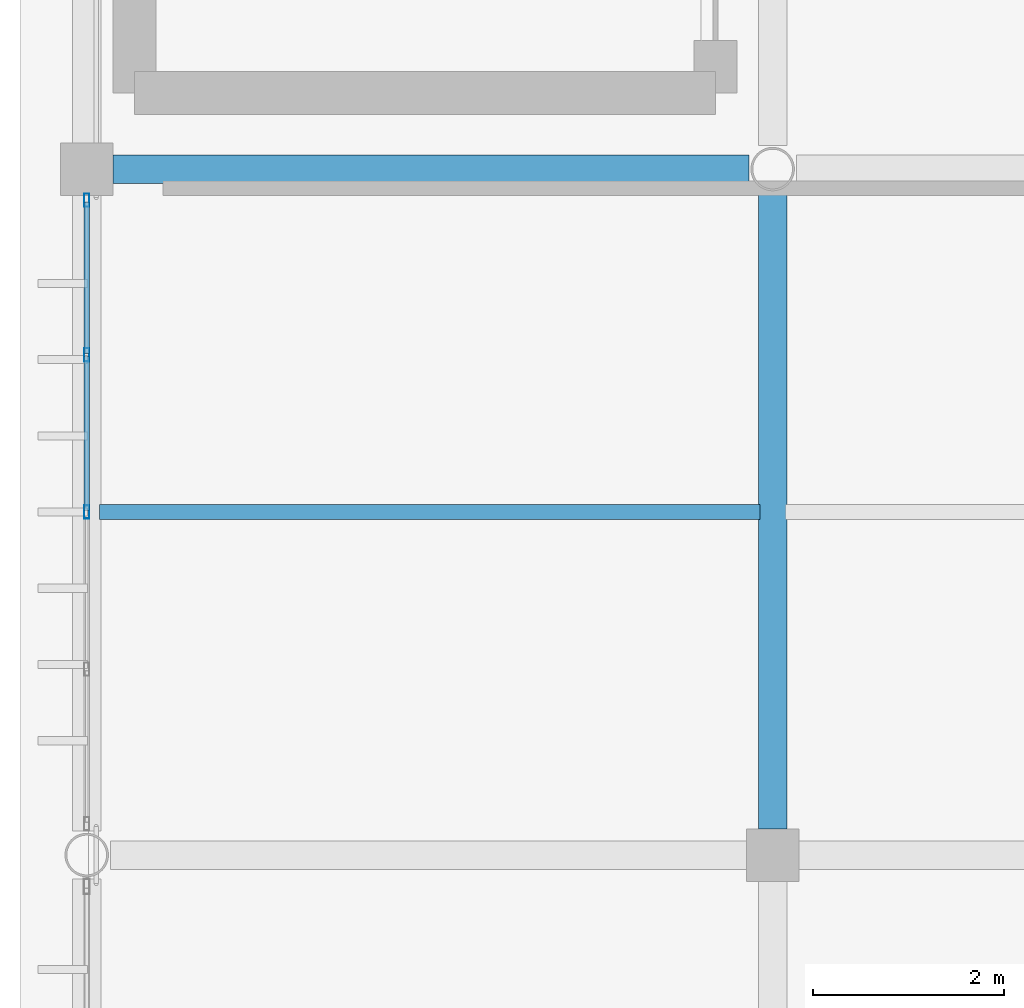
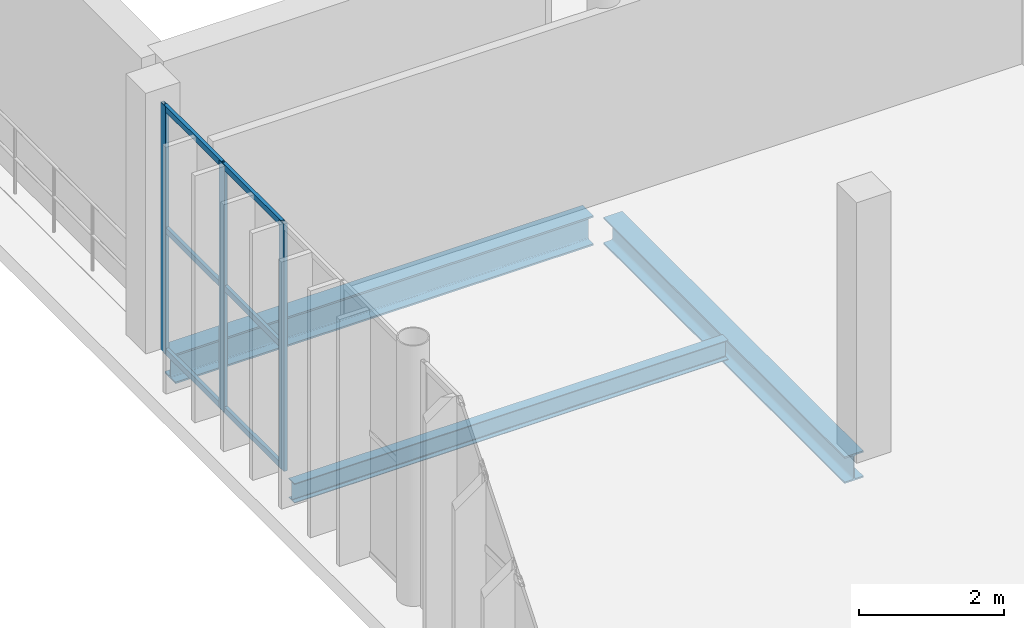
# One storey, part 22 of 81: 9 members, 3 beams, 1 element without a shape of its own.
"""IFC4 building model written with IfcOpenShell, lengths in metres."""

from ifc_helpers import new_model, si_unit, direction, frame, origin, origin_2d, place, context, subcontext, project, spatial, hollow_rectangle, i_section, extrude, material, material_profile, profile_set, type_object, element, aggregate, save


model = new_model("IFC4")

# Units and contexts
model_context = context("Model", 3, precision=1e-05, world=origin(), true_north=direction((0.0, 1.0)))
body_context = subcontext(model_context, "Body", "Model", "MODEL_VIEW")
ifc_project = project(units=[si_unit("LENGTHUNIT", "METRE"), si_unit("AREAUNIT", "SQUARE_METRE"), si_unit("VOLUMEUNIT", "CUBIC_METRE"), si_unit("PLANEANGLEUNIT", "RADIAN"), si_unit("MASSUNIT", "GRAM", prefix="KILO")], contexts=[model_context])

# Site, building, storey
site_placement = place(None, origin())
site = spatial("IfcSite", under=ifc_project, at=site_placement, CompositionType="ELEMENT")
building_placement = place(site_placement, origin())
building = spatial("IfcBuilding", under=site, at=building_placement, Name="Qandorah Velis Arena", CompositionType="ELEMENT")
storey_placement = place(building_placement, frame((0.0, 0.0, 18.60009765625)))
storey = spatial("IfcBuildingStorey", under=building, at=storey_placement, Name="L04", CompositionType="ELEMENT", Elevation=18.60009765625)

# Curtain wall, members
ifc_material_1 = material(Name="Solar-control low-E double glazing", Category="glass")
curtain_wall_type = type_object("IfcCurtainWallType", Name="ARC-CW-SYS08", PredefinedType="USERDEFINED", material=ifc_material_1)
curtain_wall_placement = place(storey_placement, origin())
curtain_wall = element("IfcCurtainWall", 1, at=curtain_wall_placement, inside=storey, type_object=curtain_wall_type, Name="Unitised curtain wall L04-032", ObjectType="UNITISED CURTAIN WALL", PredefinedType="USERDEFINED")
ifc_material_2 = material(Name="Champagne-bronze anodized aluminium 6063-T6", Category="aluminium")
ifc_material_profile_1 = material_profile(ifc_material_2, hollow_rectangle(XDim=0.054931640625, YDim=0.139892578125, WallThickness=0.0029296875, at=origin_2d()), Name="ALU MULLION 55x140")
ifc_profile_set_1 = profile_set([ifc_material_profile_1], Name="Champagne-bronze anodized aluminium 6063-T6")
member_type_1 = type_object("IfcMemberType", Name="ARC-CWM-140", PredefinedType="MULLION", material=ifc_profile_set_1)
member_1_placement = place(storey_placement, frame((0.0, 32.39990234375, -0.01513671875), z_axis=(0.0, 0.0, 1.0), x_axis=(-1.0, 0.0, 0.0)))
member_1 = element("IfcMember", 2, at=member_1_placement, type_object=member_type_1, Name="CW08 mullion 3", PredefinedType="MULLION", context=body_context, shape_type="SweptSolid", body=[
    extrude(hollow_rectangle(XDim=0.054931640625, YDim=0.139892578125, WallThickness=0.0029296875, at=origin_2d()), origin(), (0.0, 0.0, 1.0), 4.179931640625),
])
member_2_placement = place(storey_placement, frame((0.0, 34.050048828125, -0.01513671875), z_axis=(0.0, 0.0, 1.0), x_axis=(-1.0, 0.0, 0.0)))
member_2 = element("IfcMember", 3, at=member_2_placement, type_object=member_type_1, Name="CW08 mullion 4", PredefinedType="MULLION", context=body_context, shape_type="SweptSolid", body=[
    extrude(hollow_rectangle(XDim=0.054931640625, YDim=0.139892578125, WallThickness=0.0029296875, at=origin_2d()), origin(), (0.0, 0.0, 1.0), 4.179931640625),
])
member_3_placement = place(storey_placement, frame((0.0, 35.672607421875, -0.01513671875), z_axis=(0.0, 0.0, 1.0), x_axis=(-1.0, 0.0, 0.0)))
member_3 = element("IfcMember", 4, at=member_3_placement, type_object=member_type_1, Name="CW08 mullion 5", PredefinedType="MULLION", context=body_context, shape_type="SweptSolid", body=[
    extrude(hollow_rectangle(XDim=0.054931640625, YDim=0.139892578125, WallThickness=0.0029296875, at=origin_2d()), origin(), (0.0, 0.0, 1.0), 4.179931640625),
])
ifc_material_profile_2 = material_profile(ifc_material_2, hollow_rectangle(XDim=0.054931640625, YDim=0.10009765625, WallThickness=0.0029296875, at=origin_2d()), Name="ALU TRANSOM 55x100")
ifc_profile_set_2 = profile_set([ifc_material_profile_2], Name="Champagne-bronze anodized aluminium 6063-T6")
member_type_2 = type_object("IfcMemberType", Name="ARC-CWT-100", PredefinedType="USERDEFINED", material=ifc_profile_set_2)
member_4_placement = place(storey_placement, frame((0.0, 32.41552734375, 0.02734375), z_axis=(0.0, 1.0, 0.0), x_axis=(-1.0, 0.0, 0.0)))
member_4 = element("IfcMember", 5, at=member_4_placement, type_object=member_type_2, Name="CW08 transom 3.1", ObjectType="TRANSOM", PredefinedType="USERDEFINED", context=body_context, shape_type="SweptSolid", body=[
    extrude(hollow_rectangle(XDim=0.054931640625, YDim=0.10009765625, WallThickness=0.0029296875, at=origin_2d()), origin(), (0.0, 0.0, 1.0), 1.618896484375),
])
member_5_placement = place(storey_placement, frame((0.0, 32.41552734375, 2.074951171875), z_axis=(0.0, 1.0, 0.0), x_axis=(-1.0, 0.0, 0.0)))
member_5 = element("IfcMember", 6, at=member_5_placement, type_object=member_type_2, Name="CW08 transom 3.2", ObjectType="TRANSOM", PredefinedType="USERDEFINED", context=body_context, shape_type="SweptSolid", body=[
    extrude(hollow_rectangle(XDim=0.054931640625, YDim=0.10009765625, WallThickness=0.0029296875, at=origin_2d()), origin(), (0.0, 0.0, 1.0), 1.618896484375),
])
member_6_placement = place(storey_placement, frame((0.0, 32.41552734375, 4.122314453125), z_axis=(0.0, 1.0, 0.0), x_axis=(-1.0, 0.0, 0.0)))
member_6 = element("IfcMember", 7, at=member_6_placement, type_object=member_type_2, Name="CW08 transom 3.3", ObjectType="TRANSOM", PredefinedType="USERDEFINED", context=body_context, shape_type="SweptSolid", body=[
    extrude(hollow_rectangle(XDim=0.054931640625, YDim=0.10009765625, WallThickness=0.0029296875, at=origin_2d()), origin(), (0.0, 0.0, 1.0), 1.618896484375),
])
member_7_placement = place(storey_placement, frame((0.0, 34.0654296875, 0.02734375), z_axis=(0.0, 1.0, 0.0), x_axis=(-1.0, 0.0, 0.0)))
member_7 = element("IfcMember", 8, at=member_7_placement, type_object=member_type_2, Name="CW08 transom 4.1", ObjectType="TRANSOM", PredefinedType="USERDEFINED", context=body_context, shape_type="SweptSolid", body=[
    extrude(hollow_rectangle(XDim=0.054931640625, YDim=0.10009765625, WallThickness=0.0029296875, at=origin_2d()), origin(), (0.0, 0.0, 1.0), 1.591552734375),
])
member_8_placement = place(storey_placement, frame((0.0, 34.0654296875, 2.074951171875), z_axis=(0.0, 1.0, 0.0), x_axis=(-1.0, 0.0, 0.0)))
member_8 = element("IfcMember", 9, at=member_8_placement, type_object=member_type_2, Name="CW08 transom 4.2", ObjectType="TRANSOM", PredefinedType="USERDEFINED", context=body_context, shape_type="SweptSolid", body=[
    extrude(hollow_rectangle(XDim=0.054931640625, YDim=0.10009765625, WallThickness=0.0029296875, at=origin_2d()), origin(), (0.0, 0.0, 1.0), 1.591552734375),
])
member_9_placement = place(storey_placement, frame((0.0, 34.0654296875, 4.122314453125), z_axis=(0.0, 1.0, 0.0), x_axis=(-1.0, 0.0, 0.0)))
member_9 = element("IfcMember", 10, at=member_9_placement, type_object=member_type_2, Name="CW08 transom 4.3", ObjectType="TRANSOM", PredefinedType="USERDEFINED", context=body_context, shape_type="SweptSolid", body=[
    extrude(hollow_rectangle(XDim=0.054931640625, YDim=0.10009765625, WallThickness=0.0029296875, at=origin_2d()), origin(), (0.0, 0.0, 1.0), 1.591552734375),
])
aggregate(curtain_wall, [member_1, member_2, member_3, member_4, member_5, member_6, member_7, member_8, member_9])

# Beams
ifc_material_3 = material(Name="Steel S355", Category="steel")
ifc_material_profile_3 = material_profile(ifc_material_3, i_section(OverallWidth=0.300048828125, OverallDepth=0.449951171875, WebThickness=0.013916015625, FlangeThickness=0.02587890625, FilletRadius=0.027099609375, at=origin_2d()), Name="HEB 450")
ifc_profile_set_3 = profile_set([ifc_material_profile_3], Name="Steel S355")
beam_type_1 = type_object("IfcBeamType", Name="STR-BM-HEB450", PredefinedType="BEAM", material=ifc_profile_set_3)
beam_1_placement = place(storey_placement, frame((7.199951171875, 29.074951171875, -0.4951171875), z_axis=(0.0, 1.0, 0.0), x_axis=(-1.0, 0.0, 0.0)))
element("IfcBeam", 11, at=beam_1_placement, inside=storey, type_object=beam_type_1, Name="Primary floor girder L04 Y-159", PredefinedType="BEAM", context=body_context, shape_type="SweptSolid", body=[
    extrude(i_section(OverallWidth=0.300048828125, OverallDepth=0.449951171875, WebThickness=0.013916015625, FlangeThickness=0.02587890625, FilletRadius=0.027099609375, at=origin_2d()), origin(), (0.0, 0.0, 1.0), 6.675048828125),
])
ifc_material_profile_4 = material_profile(ifc_material_3, i_section(OverallWidth=0.300048828125, OverallDepth=0.5, WebThickness=0.014404296875, FlangeThickness=0.028076171875, FilletRadius=0.027099609375, at=origin_2d()), Name="HEB 500")
ifc_profile_set_4 = profile_set([ifc_material_profile_4], Name="Steel S355")
beam_type_2 = type_object("IfcBeamType", Name="STR-BM-HEB500", PredefinedType="BEAM", material=ifc_profile_set_4)
beam_2_placement = place(storey_placement, frame((0.27490234375, 36.0, -0.52001953125), z_axis=(1.0, 0.0, 0.0), x_axis=(0.0, 1.0, 0.0)))
element("IfcBeam", 12, at=beam_2_placement, inside=storey, type_object=beam_type_2, Name="Primary floor girder L04 X-050", PredefinedType="BEAM", context=body_context, shape_type="SweptSolid", body=[
    extrude(i_section(OverallWidth=0.300048828125, OverallDepth=0.5, WebThickness=0.014404296875, FlangeThickness=0.028076171875, FilletRadius=0.027099609375, at=origin_2d()), origin(), (0.0, 0.0, 1.0), 6.675048828125),
])
ifc_material_profile_5 = material_profile(ifc_material_3, i_section(OverallWidth=0.159912109375, OverallDepth=0.330078125, WebThickness=0.007568359375, FlangeThickness=0.011474609375, FilletRadius=0.01806640625, at=origin_2d()), Name="IPE 330")
ifc_profile_set_5 = profile_set([ifc_material_profile_5], Name="Steel S355")
beam_type_3 = type_object("IfcBeamType", Name="STR-JST-IPE330", PredefinedType="JOIST", material=ifc_profile_set_5)
beam_3_placement = place(storey_placement, frame((0.135009765625, 32.39990234375, -0.43505859375), z_axis=(1.0, 0.0, 0.0), x_axis=(0.0, 1.0, 0.0)))
element("IfcBeam", 13, at=beam_3_placement, inside=storey, type_object=beam_type_3, Name="Secondary floor joist L04-002", PredefinedType="JOIST", context=body_context, shape_type="SweptSolid", body=[
    extrude(i_section(OverallWidth=0.159912109375, OverallDepth=0.330078125, WebThickness=0.007568359375, FlangeThickness=0.011474609375, FilletRadius=0.01806640625, at=origin_2d()), origin(), (0.0, 0.0, 1.0), 6.929931640625),
])

save(model, "model.ifc")
